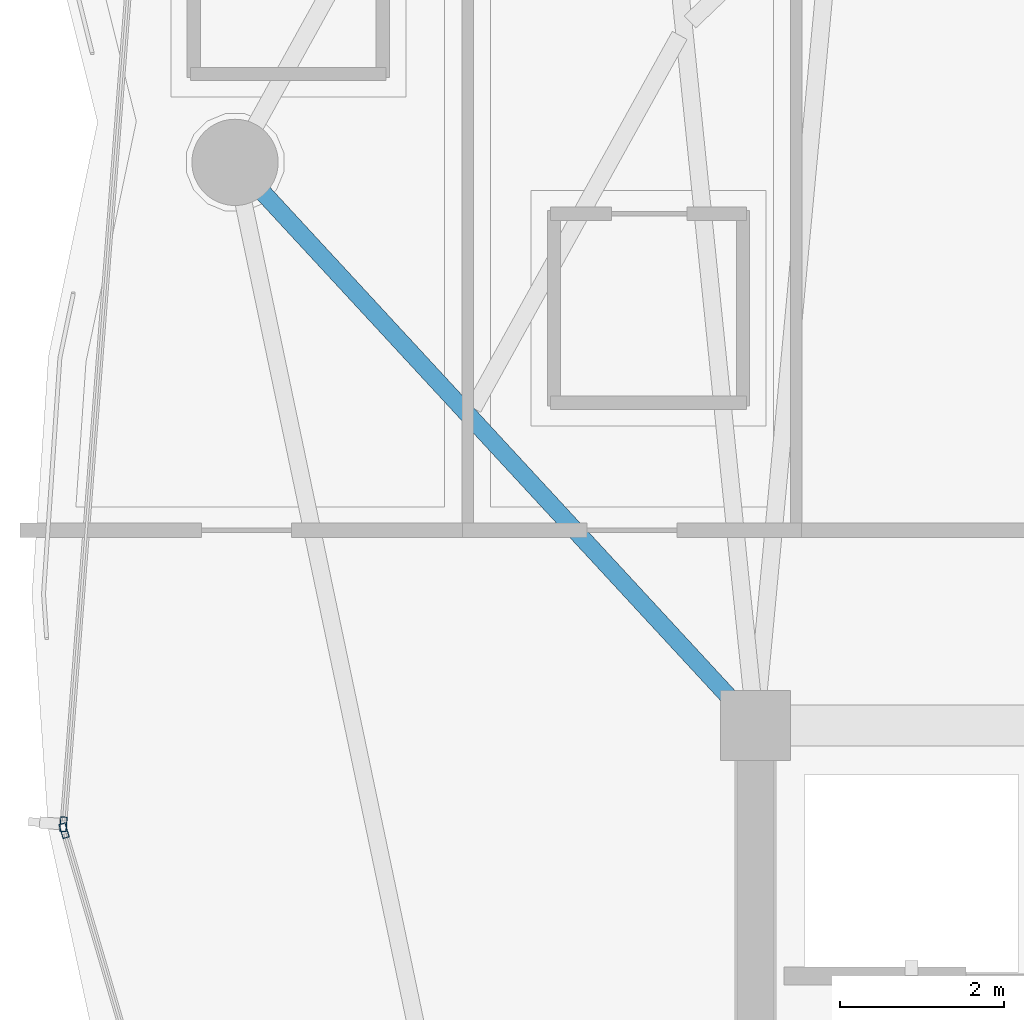
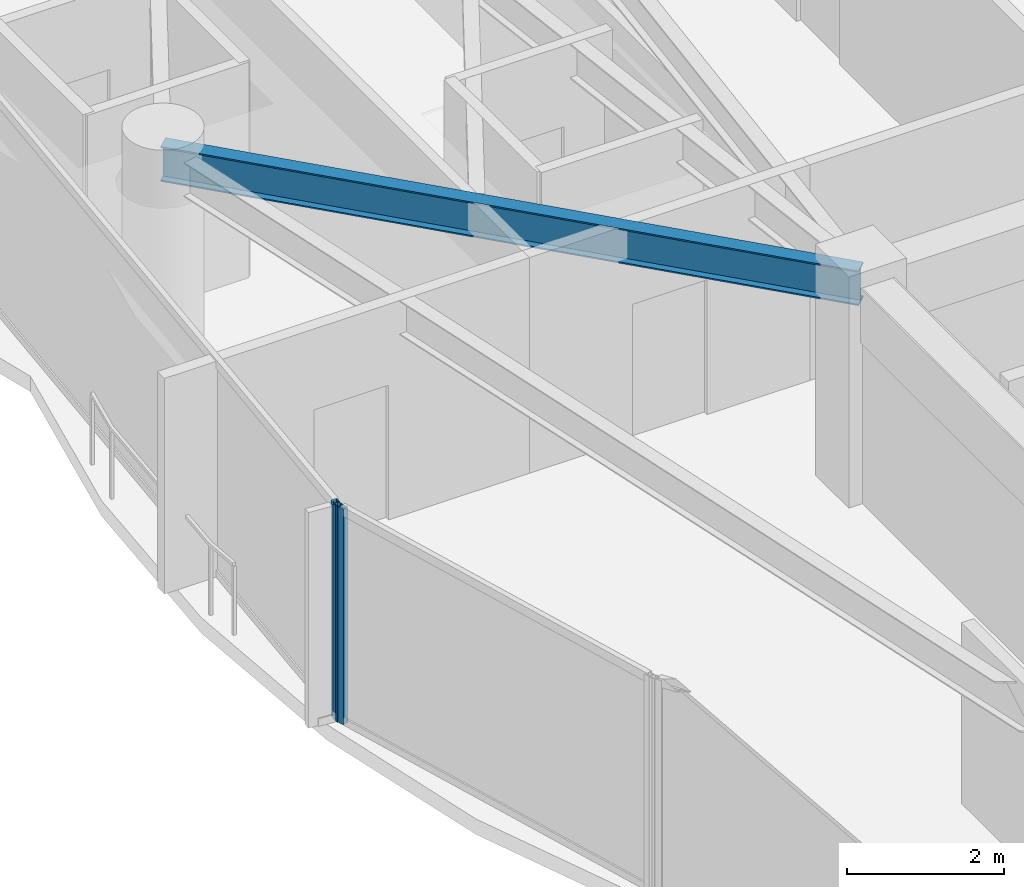
# One storey, part 8 of 31: 2 members, 1 beam, 2 elements without a shape of their own.
"""IFC4 building model written with IfcOpenShell, lengths in metres."""

from ifc_helpers import new_model, si_unit, direction, frame, origin, origin_2d, place, context, subcontext, project, spatial, hollow_rectangle, i_section, extrude, material, layer, layer_set, material_profile, profile_set, type_object, element, aggregate, save


model = new_model("IFC4")

# Units and contexts
model_context = context("Model", 3, precision=1e-05, world=origin(), true_north=direction((0.0, 1.0)))
body_context = subcontext(model_context, "Body", "Model", "MODEL_VIEW")
ifc_project = project(units=[si_unit("LENGTHUNIT", "METRE"), si_unit("AREAUNIT", "SQUARE_METRE"), si_unit("VOLUMEUNIT", "CUBIC_METRE"), si_unit("PLANEANGLEUNIT", "RADIAN"), si_unit("MASSUNIT", "GRAM", prefix="KILO")], contexts=[model_context])

# Site, building, storey
site_placement = place(None, origin())
site = spatial("IfcSite", under=ifc_project, at=site_placement, CompositionType="ELEMENT")
building_placement = place(site_placement, origin())
building = spatial("IfcBuilding", under=site, at=building_placement, Name="Kazevale Care Tower and Concert Hall", CompositionType="ELEMENT")
storey_placement = place(building_placement, frame((0.0, 0.0, 206.39990234375)))
storey = spatial("IfcBuildingStorey", under=building, at=storey_placement, Name="L54", CompositionType="ELEMENT", Elevation=206.39990234375)

# Curtain wall, member
ifc_material_1 = material(Name="Aluminium 6063-T6 and Low-E Glass", Category="aluminium")
ifc_layer = layer(ifc_material_1, 0.179931640625)
ifc_layer_set = layer_set([ifc_layer], Name="Aluminium 6063-T6 and Low-E Glass")
curtain_wall_type = type_object("IfcCurtainWallType", Name="Waist & Upper Residential Curtain Wall CW-4", PredefinedType="NOTDEFINED", material=ifc_layer_set)
curtain_wall_1_placement = place(storey_placement, origin())
curtain_wall_1 = element("IfcCurtainWall", 1, at=curtain_wall_1_placement, inside=storey, type_object=curtain_wall_type, Name="cw:L54:f12", PredefinedType="NOTDEFINED")
ifc_material_2 = material(Name="Aluminium 6063-T6", Category="aluminium")
ifc_material_profile_1 = material_profile(ifc_material_2, hollow_rectangle(XDim=0.080078125, YDim=0.179931640625, WallThickness=0.0048828125, at=origin_2d()), Name="ALU80x180x5")
ifc_profile_set_1 = profile_set([ifc_material_profile_1], Name="Aluminium 6063-T6")
member_type = type_object("IfcMemberType", Name="CW-4 Mullion ALU80x180x5", PredefinedType="MULLION", material=ifc_profile_set_1)
member_1_placement = place(storey_placement, frame((13.59033203125, 35.11865234375, 0.0), z_axis=(0.0, 0.0, 1.0), x_axis=(-0.959385539982, -0.282098184457, 0.0)))
member_1 = element("IfcMember", 2, at=member_1_placement, type_object=member_type, Name="CW-4 mullion 2", PredefinedType="MULLION", context=body_context, shape_type="SweptSolid", body=[
    extrude(hollow_rectangle(XDim=0.080078125, YDim=0.179931640625, WallThickness=0.0048828125, at=origin_2d()), origin(), (0.0, 0.0, 1.0), 3.360107421875),
])
aggregate(curtain_wall_1, [member_1])

curtain_wall_2_placement = place(storey_placement, origin())
curtain_wall_2 = element("IfcCurtainWall", 3, at=curtain_wall_2_placement, inside=storey, type_object=curtain_wall_type, Name="cw:L54:f13", PredefinedType="NOTDEFINED")
member_2_placement = place(storey_placement, frame((13.58203125, 35.19677734375, 0.0), z_axis=(0.0, 0.0, 1.0), x_axis=(-0.996989311372, 0.077539106325, 0.0)))
member_2 = element("IfcMember", 4, at=member_2_placement, type_object=member_type, Name="CW-4 mullion 1", PredefinedType="MULLION", context=body_context, shape_type="SweptSolid", body=[
    extrude(hollow_rectangle(XDim=0.080078125, YDim=0.179931640625, WallThickness=0.0048828125, at=origin_2d()), origin(), (0.0, 0.0, 1.0), 3.360107421875),
])
aggregate(curtain_wall_2, [member_2])

# Beam
ifc_material_3 = material(Name="Steel ASTM A572 Gr 50", Category="steel")
ifc_material_profile_2 = material_profile(ifc_material_3, i_section(OverallWidth=0.2119140625, OverallDepth=0.5439453125, WebThickness=0.01318359375, FlangeThickness=0.021240234375, at=origin_2d()), Name="W530x123")
ifc_profile_set_2 = profile_set([ifc_material_profile_2], Name="Steel ASTM A572 Gr 50")
beam_type = type_object("IfcBeamType", Name="Radial Floor Girder W530x123", PredefinedType="BEAM", material=ifc_profile_set_2)
beam_placement = place(storey_placement, frame((22.0, 36.39990234375, 3.088134765625), z_axis=(-0.678680078581, 0.734434034435, 0.0), x_axis=(-0.734434034435, -0.678680078581, 0.0)))
element("IfcBeam", 5, at=beam_placement, inside=storey, type_object=beam_type, Name="beam:L54:rad:09", PredefinedType="BEAM", context=body_context, shape_type="SweptSolid", body=[
    extrude(i_section(OverallWidth=0.2119140625, OverallDepth=0.5439453125, WebThickness=0.01318359375, FlangeThickness=0.021240234375, at=origin_2d()), origin(), (0.0, 0.0, 1.0), 9.3271484375),
])

save(model, "model.ifc")
